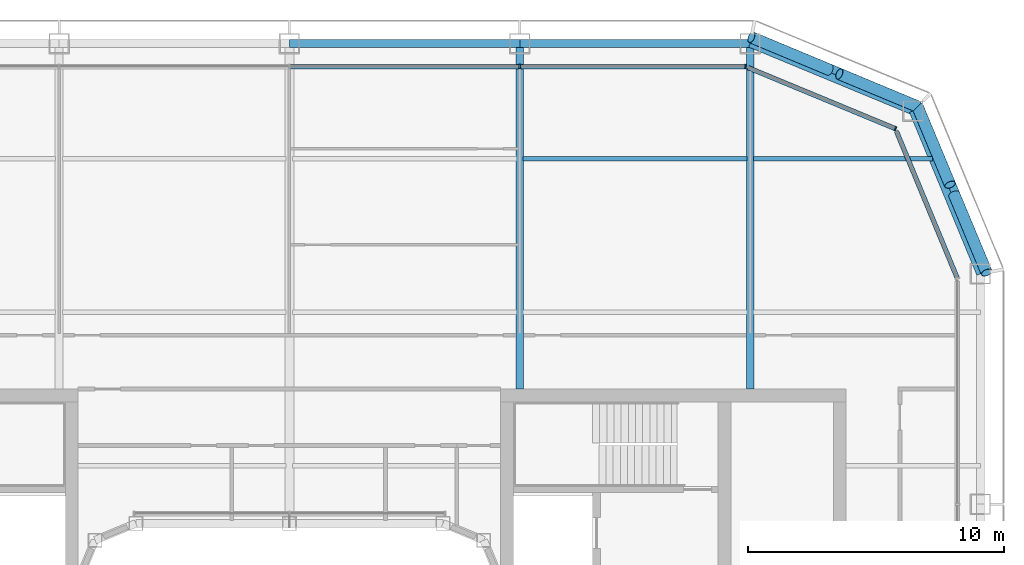
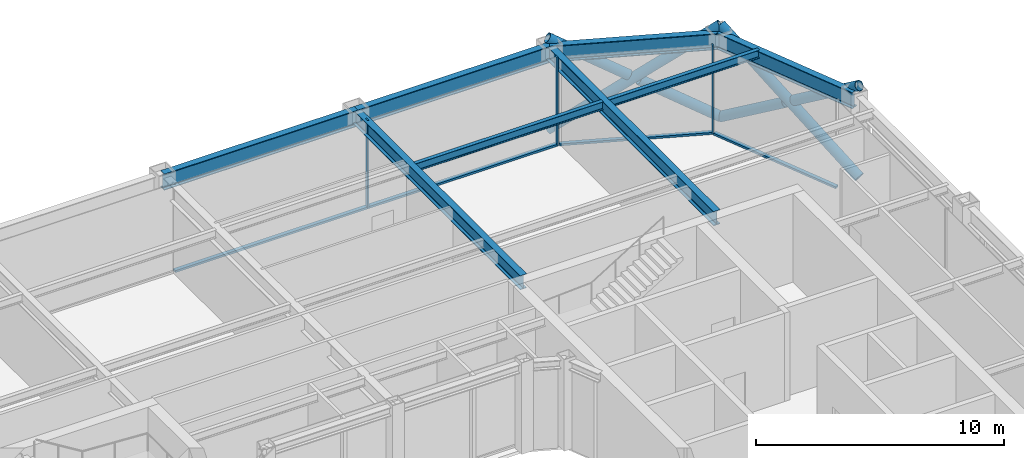
# One storey, part 10 of 23: 13 members, 8 beams, 3 elements without a shape of their own.
"""IFC4 building model written with IfcOpenShell, lengths in metres."""

from ifc_helpers import new_model, si_unit, direction, frame, origin, origin_2d, place, context, subcontext, project, spatial, rectangle, hollow_circle, i_section, extrude, material, layer, layer_set, material_profile, profile_set, type_object, element, aggregate, save


model = new_model("IFC4")

# Units and contexts
model_context = context("Model", 3, precision=1e-05, world=origin(), true_north=direction((0.0, 1.0)))
body_context = subcontext(model_context, "Body", "Model", "MODEL_VIEW")
ifc_project = project(units=[si_unit("LENGTHUNIT", "METRE"), si_unit("AREAUNIT", "SQUARE_METRE"), si_unit("VOLUMEUNIT", "CUBIC_METRE"), si_unit("PLANEANGLEUNIT", "RADIAN"), si_unit("MASSUNIT", "GRAM", prefix="KILO")], contexts=[model_context])

# Site, building, storey
site_placement = place(None, origin())
site = spatial("IfcSite", under=ifc_project, at=site_placement, CompositionType="ELEMENT")
building_placement = place(site_placement, origin())
building = spatial("IfcBuilding", under=site, at=building_placement, Name="Siwar Civic Tower", CompositionType="ELEMENT")
storey_placement = place(building_placement, frame((0.0, 0.0, 269.199951171875)))
storey = spatial("IfcBuildingStorey", under=building, at=storey_placement, Name="L58", CompositionType="ELEMENT", Elevation=269.199951171875)

# Curtain wall, member
ifc_material_1 = material(Name="Aluminium clad insulated panel", Category="aluminium")
ifc_layer_1 = layer(ifc_material_1, 0.179931640625)
ifc_layer_set_1 = layer_set([ifc_layer_1], Name="Aluminium clad insulated panel")
curtain_wall_type_1 = type_object("IfcCurtainWallType", Name="ENV-CW-CX", PredefinedType="NOTDEFINED", material=ifc_layer_set_1)
curtain_wall_1_placement = place(storey_placement, origin())
curtain_wall_1 = element("IfcCurtainWall", 1, at=curtain_wall_1_placement, inside=storey, type_object=curtain_wall_type_1, Name="Curtain wall C NE2", PredefinedType="NOTDEFINED")
ifc_material_2 = material(Name="Aluminium 6063-T6", Category="aluminium")
ifc_material_profile_1 = material_profile(ifc_material_2, rectangle(XDim=0.179931640625, YDim=0.06005859375, at=origin_2d()), Name="AL 180x60")
ifc_profile_set_1 = profile_set([ifc_material_profile_1], Name="Aluminium 6063-T6")
member_type_1 = type_object("IfcMemberType", Name="ENV-MULLION-C", PredefinedType="MULLION", material=ifc_profile_set_1)
member_1_placement = place(storey_placement, frame((23.675048828125, 23.675048828125, 0.0), z_axis=(0.0, 0.0, 1.0), x_axis=(-0.382683432365, -0.923879532511, 0.0)))
member_1 = element("IfcMember", 2, at=member_1_placement, type_object=member_type_1, Name="Mullion C NE2 1", PredefinedType="MULLION", context=body_context, shape_type="SweptSolid", body=[
    extrude(rectangle(XDim=0.179931640625, YDim=0.06005859375, at=origin_2d()), origin(), (0.0, 0.0, 1.0), 4.35009765625),
])

# Curtain wall, members
ifc_material_3 = material(Name="Aluminium and glass", Category="aluminium")
ifc_layer_2 = layer(ifc_material_3, 0.179931640625)
ifc_layer_set_2 = layer_set([ifc_layer_2], Name="Aluminium and glass")
curtain_wall_type_2 = type_object("IfcCurtainWallType", Name="ENV-CW-C", PredefinedType="NOTDEFINED", material=ifc_layer_set_2)
curtain_wall_2_placement = place(storey_placement, origin())
curtain_wall_2 = element("IfcCurtainWall", 3, at=curtain_wall_2_placement, inside=storey, type_object=curtain_wall_type_2, Name="Curtain wall C N", PredefinedType="NOTDEFINED")
member_2_placement = place(storey_placement, frame((17.821044921875, 26.10009765625, 0.0), z_axis=(0.0, 0.0, 1.0), x_axis=(0.0, -1.0, 0.0)))
member_2 = element("IfcMember", 4, at=member_2_placement, type_object=member_type_1, Name="Mullion C N 1", PredefinedType="MULLION", context=body_context, shape_type="SweptSolid", body=[
    extrude(rectangle(XDim=0.179931640625, YDim=0.06005859375, at=origin_2d()), origin(), (0.0, 0.0, 1.0), 4.35009765625),
])
member_3_placement = place(storey_placement, frame((9.0, 26.10009765625, 0.0), z_axis=(0.0, 0.0, 1.0), x_axis=(0.0, -1.0, 0.0)))
member_3 = element("IfcMember", 5, at=member_3_placement, type_object=member_type_1, Name="Mullion C N 2", PredefinedType="MULLION", context=body_context, shape_type="SweptSolid", body=[
    extrude(rectangle(XDim=0.179931640625, YDim=0.06005859375, at=origin_2d()), origin(), (0.0, 0.0, 1.0), 4.35009765625),
])

# Curtain wall, member
curtain_wall_3_placement = place(storey_placement, origin())
curtain_wall_3 = element("IfcCurtainWall", 6, at=curtain_wall_3_placement, inside=storey, type_object=curtain_wall_type_1, Name="Curtain wall C NE1", PredefinedType="NOTDEFINED")
ifc_material_4 = material(Name="Aluminium 6063-T6", Category="aluminium")
ifc_material_profile_2 = material_profile(ifc_material_4, rectangle(XDim=0.179931640625, YDim=0.10009765625, at=origin_2d()), Name="AL 180x100")
ifc_profile_set_2 = profile_set([ifc_material_profile_2], Name="Aluminium 6063-T6")
member_type_2 = type_object("IfcMemberType", Name="ENV-TRANSOM-C", PredefinedType="USERDEFINED", material=ifc_profile_set_2)
member_4_placement = place(storey_placement, frame((26.088623046875, 17.8486328125, 0.050048828125), z_axis=(-0.38267744817, 0.923882011223, 0.0), x_axis=(-0.923882011223, -0.38267744817, 0.0)))
member_4 = element("IfcMember", 7, at=member_4_placement, type_object=member_type_2, Name="Transom C NE1 1", ObjectType="TRANSOM", PredefinedType="USERDEFINED", context=body_context, shape_type="SweptSolid", body=[
    extrude(rectangle(XDim=0.179931640625, YDim=0.10009765625, at=origin_2d()), origin(), (0.0, 0.0, 1.0), 6.201904296875),
])
aggregate(curtain_wall_3, [member_4])

# Member
member_5_placement = place(storey_placement, frame((23.6474609375, 23.6865234375, 0.050048828125), z_axis=(-0.923876246063, 0.382691366456, 0.0), x_axis=(-0.382691366456, -0.923876246063, 0.0)))
member_5 = element("IfcMember", 8, at=member_5_placement, type_object=member_type_2, Name="Transom C NE2 1", ObjectType="TRANSOM", PredefinedType="USERDEFINED", context=body_context, shape_type="SweptSolid", body=[
    extrude(rectangle(XDim=0.179931640625, YDim=0.10009765625, at=origin_2d()), origin(), (0.0, 0.0, 1.0), 6.20166015625),
])

aggregate(curtain_wall_1, [member_1, member_5])

member_6_placement = place(storey_placement, frame((17.791015625, 26.10009765625, 0.050048828125), z_axis=(-1.0, 0.0, 0.0), x_axis=(0.0, -1.0, 0.0)))
member_6 = element("IfcMember", 9, at=member_6_placement, type_object=member_type_2, Name="Transom C N 1", ObjectType="TRANSOM", PredefinedType="USERDEFINED", context=body_context, shape_type="SweptSolid", body=[
    extrude(rectangle(XDim=0.179931640625, YDim=0.10009765625, at=origin_2d()), origin(), (0.0, 0.0, 1.0), 8.760986328125),
])

member_7_placement = place(storey_placement, frame((8.969970703125, 26.10009765625, 0.050048828125), z_axis=(-1.0, 0.0, 0.0), x_axis=(0.0, -1.0, 0.0)))
member_7 = element("IfcMember", 10, at=member_7_placement, type_object=member_type_2, Name="Transom C N 2", ObjectType="TRANSOM", PredefinedType="USERDEFINED", context=body_context, shape_type="SweptSolid", body=[
    extrude(rectangle(XDim=0.179931640625, YDim=0.10009765625, at=origin_2d()), origin(), (0.0, 0.0, 1.0), 8.93994140625),
])

aggregate(curtain_wall_2, [member_2, member_3, member_6, member_7])

# Members
ifc_material_5 = material(Name="Steel S355", Category="steel")
ifc_material_profile_3 = material_profile(ifc_material_5, hollow_circle(Radius=0.228515625, WallThickness=0.02001953125, at=origin_2d()), Name="CHS457x20")
ifc_profile_set_3 = profile_set([ifc_material_profile_3], Name="Steel S355")
member_type_3 = type_object("IfcMemberType", Name="STR-BR-CHS457x20", PredefinedType="BRACE", material=ifc_profile_set_3)
member_8_placement = place(storey_placement, frame((18.048828125, 27.2451171875, 0.0), z_axis=(0.777554562952, -0.323905527954, 0.538975055633), x_axis=(0.384538969033, 0.923108759191, 0.0)))
element("IfcMember", 11, at=member_8_placement, inside=storey, type_object=member_type_3, Name="L58/brc/CNE1-18-0-1", PredefinedType="BRACE", context=body_context, shape_type="SweptSolid", body=[
    extrude(hollow_circle(Radius=0.228515625, WallThickness=0.02001953125, at=origin_2d()), origin(), (0.0, 0.0, 1.0), 8.34912109375),
])
for number, where, z_axis, x_axis, name in (
    (12, (24.540771484375, 24.540771484375, 0.0), (-0.777546448489, 0.323884455881, 0.538999424564), (-0.38452107079, -0.92311621485, 0.0), "L58/brc/CNE1-18-0-2"),
    (13, (21.10302734375, 25.972900390625, 2.383056640625), (-0.777572496853, 0.323895306243, 0.538955325357), (-0.38452107079, -0.92311621485, 0.0), "L58/brc/CNE1-18-0-3"),
):
    element("IfcMember", number, at=place(storey_placement, frame(where, z_axis=z_axis, x_axis=x_axis)), inside=storey, type_object=member_type_3, Name=name, PredefinedType="BRACE", context=body_context, shape_type="SweptSolid", body=[
        extrude(hollow_circle(Radius=0.228515625, WallThickness=0.02001953125, at=origin_2d()), origin(), (0.0, 0.0, 1.0), 3.927978515625),
    ])
member_9_placement = place(storey_placement, frame((27.2451171875, 18.048828125, 0.0), z_axis=(-0.323905527954, 0.777554562952, 0.538975055633), x_axis=(-0.923108759191, -0.384538969033, 0.0)))
element("IfcMember", 14, at=member_9_placement, inside=storey, type_object=member_type_3, Name="L58/brc/CNE1-18-0-0", PredefinedType="BRACE", context=body_context, shape_type="SweptSolid", body=[
    extrude(hollow_circle(Radius=0.228515625, WallThickness=0.02001953125, at=origin_2d()), origin(), (0.0, 0.0, 1.0), 8.34912109375),
])
for number, where, z_axis, x_axis, name in (
    (15, (24.540771484375, 24.540771484375, 0.0), (0.323884455881, -0.777546448489, 0.538999424564), (0.92311621485, 0.38452107079, 0.0), "L58/brc/CNE1-18-0-4"),
    (16, (25.972900390625, 21.10302734375, 2.383056640625), (0.323895306243, -0.777572496853, 0.538955325357), (0.92311621485, 0.38452107079, 0.0), "L58/brc/CNE1-18-0-5"),
):
    element("IfcMember", number, at=place(storey_placement, frame(where, z_axis=z_axis, x_axis=x_axis)), inside=storey, type_object=member_type_3, Name=name, PredefinedType="BRACE", context=body_context, shape_type="SweptSolid", body=[
        extrude(hollow_circle(Radius=0.228515625, WallThickness=0.02001953125, at=origin_2d()), origin(), (0.0, 0.0, 1.0), 3.927978515625),
    ])

# Beams
ifc_material_6 = material(Name="Steel S355", Category="steel")
ifc_material_profile_4 = material_profile(ifc_material_6, i_section(OverallWidth=0.179931640625, OverallDepth=0.39990234375, WebThickness=0.008544921875, FlangeThickness=0.013427734375, FilletRadius=0.02099609375, at=origin_2d()), Name="IPE400")
ifc_profile_set_4 = profile_set([ifc_material_profile_4], Name="Steel S355")
beam_type_1 = type_object("IfcBeamType", Name="STR-FB-IPE400", PredefinedType="JOIST", material=ifc_profile_set_4)
beam_1_placement = place(storey_placement, frame((9.1298828125, 22.5, 4.150146484375), z_axis=(1.0, 0.0, 0.0), x_axis=(0.0, 1.0, 0.0)))
element("IfcBeam", 17, at=beam_1_placement, inside=storey, type_object=beam_type_1, Name="L58/bm/F041", PredefinedType="JOIST", context=body_context, shape_type="SweptSolid", body=[
    extrude(i_section(OverallWidth=0.179931640625, OverallDepth=0.39990234375, WebThickness=0.008544921875, FlangeThickness=0.013427734375, FilletRadius=0.02099609375, at=origin_2d()), origin(), (0.0, 0.0, 1.0), 8.740234375),
])
beam_2_placement = place(storey_placement, frame((18.1298828125, 22.5, 4.150146484375), z_axis=(1.0, 0.0, 0.0), x_axis=(0.0, 1.0, 0.0)))
element("IfcBeam", 18, at=beam_2_placement, inside=storey, type_object=beam_type_1, Name="L58/bm/F042", PredefinedType="JOIST", context=body_context, shape_type="SweptSolid", body=[
    extrude(i_section(OverallWidth=0.179931640625, OverallDepth=0.39990234375, WebThickness=0.008544921875, FlangeThickness=0.013427734375, FilletRadius=0.02099609375, at=origin_2d()), origin(), (0.0, 0.0, 1.0), 7.006103515625),
])
ifc_material_7 = material(Name="Steel S355", Category="steel")
ifc_material_profile_5 = material_profile(ifc_material_7, i_section(OverallWidth=0.300048828125, OverallDepth=0.699951171875, WebThickness=0.01708984375, FlangeThickness=0.031982421875, FilletRadius=0.027099609375, at=origin_2d()), Name="HEB700")
ifc_profile_set_5 = profile_set([ifc_material_profile_5], Name="Steel S355")
beam_type_2 = type_object("IfcBeamType", Name="STR-PG-HEB700", PredefinedType="BEAM", material=ifc_profile_set_5)
for number, where, z_axis, x_axis, name in (
    (19, (9.0, 13.5, 4.0), (0.0, 1.0, 0.0), (-1.0, 0.0, 0.0), "L58/bm/G08"),
    (20, (18.0, 13.5, 4.0), (0.0, 1.0, 0.0), (-1.0, 0.0, 0.0), "L58/bm/G10"),
):
    element("IfcBeam", number, at=place(storey_placement, frame(where, z_axis=z_axis, x_axis=x_axis)), inside=storey, type_object=beam_type_2, Name=name, PredefinedType="BEAM", context=body_context, shape_type="SweptSolid", body=[
        extrude(i_section(OverallWidth=0.300048828125, OverallDepth=0.699951171875, WebThickness=0.01708984375, FlangeThickness=0.031982421875, FilletRadius=0.027099609375, at=origin_2d()), origin(), (0.0, 0.0, 1.0), 13.5),
    ])
ifc_material_8 = material(Name="Steel S355", Category="steel")
ifc_material_profile_6 = material_profile(ifc_material_8, i_section(OverallWidth=0.300048828125, OverallDepth=0.800048828125, WebThickness=0.017578125, FlangeThickness=0.032958984375, FilletRadius=0.030029296875, at=origin_2d()), Name="HEB800")
ifc_profile_set_6 = profile_set([ifc_material_profile_6], Name="Steel S355")
beam_type_3 = type_object("IfcBeamType", Name="STR-SB-HEB800", PredefinedType="BEAM", material=ifc_profile_set_6)
for number, where, z_axis, x_axis, name in (
    (21, (27.0, 18.0, 3.949951171875), (-0.382674207535, 0.923883353507, 0.0), (-0.923883353507, -0.382674207535, 0.0), "L58/bm/SNE1-0"),
    (22, (24.364013671875, 24.364013671875, 3.949951171875), (-0.923883353507, 0.382674207535, 0.0), (-0.382674207535, -0.923883353507, 0.0), "L58/bm/SNE2-0"),
):
    element("IfcBeam", number, at=place(storey_placement, frame(where, z_axis=z_axis, x_axis=x_axis)), inside=storey, type_object=beam_type_3, Name=name, PredefinedType="BEAM", context=body_context, shape_type="SweptSolid", body=[
        extrude(i_section(OverallWidth=0.300048828125, OverallDepth=0.800048828125, WebThickness=0.017578125, FlangeThickness=0.032958984375, FilletRadius=0.030029296875, at=origin_2d()), origin(), (0.0, 0.0, 1.0), 6.888427734375),
    ])
for number, where, z_axis, x_axis, name in (
    (23, (18.0, 27.0, 3.949951171875), (-1.0, 0.0, 0.0), (0.0, -1.0, 0.0), "L58/bm/SN-0"),
    (24, (9.0, 27.0, 3.949951171875), (-1.0, 0.0, 0.0), (0.0, -1.0, 0.0), "L58/bm/SN-1"),
):
    element("IfcBeam", number, at=place(storey_placement, frame(where, z_axis=z_axis, x_axis=x_axis)), inside=storey, type_object=beam_type_3, Name=name, PredefinedType="BEAM", context=body_context, shape_type="SweptSolid", body=[
        extrude(i_section(OverallWidth=0.300048828125, OverallDepth=0.800048828125, WebThickness=0.017578125, FlangeThickness=0.032958984375, FilletRadius=0.030029296875, at=origin_2d()), origin(), (0.0, 0.0, 1.0), 9.0),
    ])

save(model, "model.ifc")
